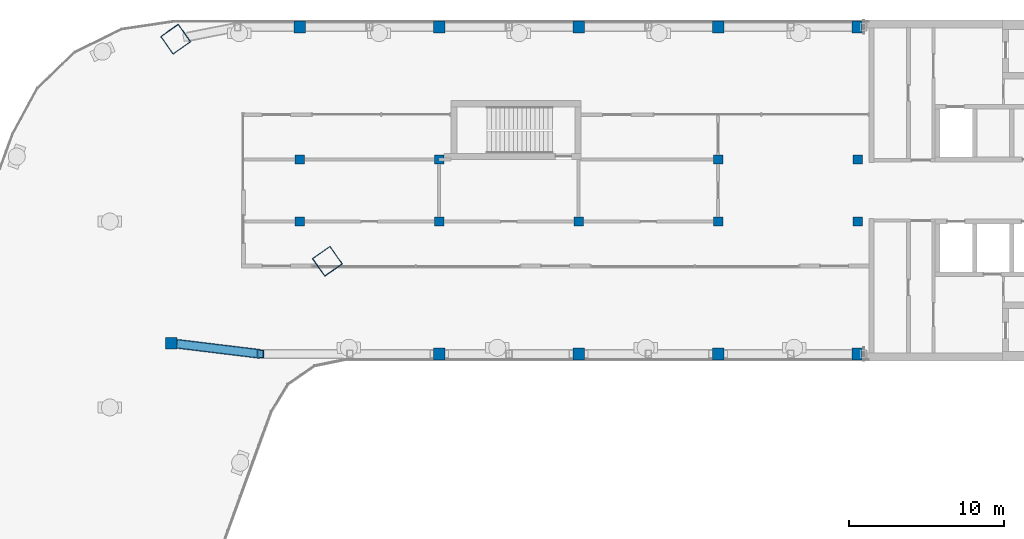
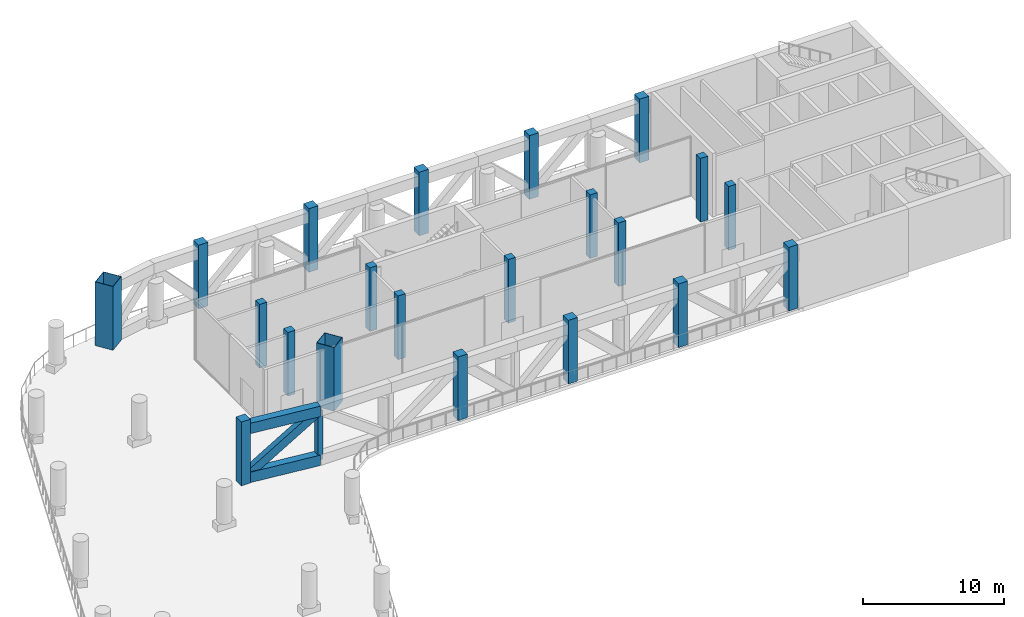
# One storey, part 1 of 14: 21 columns, 4 members.
"""IFC4 building model written with IfcOpenShell, lengths in metres."""

from ifc_helpers import new_model, si_unit, direction, frame, origin, origin_2d, place, context, subcontext, project, spatial, rectangle, hollow_rectangle, extrude, material, material_profile, profile_set, type_object, element, save


model = new_model("IFC4")

# Units and contexts
model_context = context("Model", 3, precision=1e-05, world=origin(), true_north=direction((0.0, 1.0)))
body_context = subcontext(model_context, "Body", "Model", "MODEL_VIEW")
ifc_project = project(units=[si_unit("LENGTHUNIT", "METRE"), si_unit("AREAUNIT", "SQUARE_METRE"), si_unit("VOLUMEUNIT", "CUBIC_METRE"), si_unit("PLANEANGLEUNIT", "RADIAN"), si_unit("MASSUNIT", "GRAM", prefix="KILO")], contexts=[model_context])

# Site, building, storey
site_placement = place(None, origin())
site = spatial("IfcSite", under=ifc_project, at=site_placement, CompositionType="ELEMENT")
building_placement = place(site_placement, origin())
building = spatial("IfcBuilding", under=site, at=building_placement, Name="Skarvind Civic Tower", CompositionType="ELEMENT")
storey_placement = place(building_placement, frame((0.0, 0.0, 236.0)))
storey = spatial("IfcBuildingStorey", under=building, at=storey_placement, Name="L56", CompositionType="ELEMENT", Elevation=236.0)

# Columns
ifc_material_1 = material(Name="Concrete C60", Category="concrete")
ifc_material_profile_1 = material_profile(ifc_material_1, rectangle(XDim=0.60009765625, YDim=0.60009765625, at=origin_2d()), Name="RC-600x600")
ifc_profile_set_1 = profile_set([ifc_material_profile_1], Name="Concrete C60")
column_type_1 = type_object("IfcColumnType", Name="Column RC-600x600 C60", PredefinedType="COLUMN", material=ifc_profile_set_1)
for number, where, z_axis, x_axis, name in (
    (1, (54.25, 130.0, 0.0), (0.0, 0.0, 1.0), (1.0, 0.0, 0.0), "Column wing 1 north inner 02 L56"),
    (2, (63.25, 130.0, 0.0), (0.0, 0.0, 1.0), (1.0, 0.0, 0.0), "Column wing 1 north inner 03 L56"),
    (3, (81.25, 130.0, 0.0), (0.0, 0.0, 1.0), (1.0, 0.0, 0.0), "Column wing 1 north inner 05 L56"),
    (4, (90.25, 130.0, 0.0), (0.0, 0.0, 1.0), (1.0, 0.0, 0.0), "Column wing 1 north inner 06 L56"),
    (5, (54.25, 126.0, 0.0), (0.0, 0.0, 1.0), (1.0, 0.0, 0.0), "Column wing 1 south inner 02 L56"),
    (6, (63.25, 126.0, 0.0), (0.0, 0.0, 1.0), (1.0, 0.0, 0.0), "Column wing 1 south inner 03 L56"),
    (7, (72.25, 126.0, 0.0), (0.0, 0.0, 1.0), (1.0, 0.0, 0.0), "Column wing 1 south inner 04 L56"),
    (8, (81.25, 126.0, 0.0), (0.0, 0.0, 1.0), (1.0, 0.0, 0.0), "Column wing 1 south inner 05 L56"),
    (9, (90.25, 126.0, 0.0), (0.0, 0.0, 1.0), (1.0, 0.0, 0.0), "Column wing 1 south inner 06 L56"),
):
    element("IfcColumn", number, at=place(storey_placement, frame(where, z_axis=z_axis, x_axis=x_axis)), inside=storey, type_object=column_type_1, Name=name, PredefinedType="COLUMN", context=body_context, shape_type="SweptSolid", body=[
        extrude(rectangle(XDim=0.60009765625, YDim=0.60009765625, at=origin_2d()), origin(), (0.0, 0.0, 1.0), 5.5),
    ])
ifc_material_profile_2 = material_profile(ifc_material_1, rectangle(XDim=0.75, YDim=0.75, at=origin_2d()), Name="RC-750x750")
ifc_profile_set_2 = profile_set([ifc_material_profile_2], Name="Concrete C60")
column_type_2 = type_object("IfcColumnType", Name="Column RC-750x750 C60", PredefinedType="COLUMN", material=ifc_profile_set_2)
for number, where, z_axis, x_axis, name in (
    (10, (54.25, 138.550048828125, 0.0), (0.0, 0.0, 1.0), (1.0, 0.0, 0.0), "Column wing 1 north perimeter 02 L56"),
    (11, (63.25, 138.550048828125, 0.0), (0.0, 0.0, 1.0), (1.0, 0.0, 0.0), "Column wing 1 north perimeter 03 L56"),
    (12, (72.25, 138.550048828125, 0.0), (0.0, 0.0, 1.0), (1.0, 0.0, 0.0), "Column wing 1 north perimeter 04 L56"),
    (13, (81.25, 138.550048828125, 0.0), (0.0, 0.0, 1.0), (1.0, 0.0, 0.0), "Column wing 1 north perimeter 05 L56"),
    (14, (90.25, 138.550048828125, 0.0), (0.0, 0.0, 1.0), (1.0, 0.0, 0.0), "Column wing 1 north perimeter 06 L56"),
    (15, (45.95166015625, 118.151611328125, 0.0), (0.0, 0.0, 1.0), (1.0, 0.0, 0.0), "Column wing 1 south perimeter 01 L56"),
    (16, (63.25, 117.449951171875, 0.0), (0.0, 0.0, 1.0), (1.0, 0.0, 0.0), "Column wing 1 south perimeter 03 L56"),
    (17, (72.25, 117.449951171875, 0.0), (0.0, 0.0, 1.0), (1.0, 0.0, 0.0), "Column wing 1 south perimeter 04 L56"),
    (18, (81.25, 117.449951171875, 0.0), (0.0, 0.0, 1.0), (1.0, 0.0, 0.0), "Column wing 1 south perimeter 05 L56"),
    (19, (90.25, 117.449951171875, 0.0), (0.0, 0.0, 1.0), (1.0, 0.0, 0.0), "Column wing 1 south perimeter 06 L56"),
):
    element("IfcColumn", number, at=place(storey_placement, frame(where, z_axis=z_axis, x_axis=x_axis)), inside=storey, type_object=column_type_2, Name=name, PredefinedType="COLUMN", context=body_context, shape_type="SweptSolid", body=[
        extrude(rectangle(XDim=0.75, YDim=0.75, at=origin_2d()), origin(), (0.0, 0.0, 1.0), 5.5),
    ])
ifc_material_2 = material(Name="Composite concrete-filled steel tube, Steel SM355 with Concrete C60", Category="concrete")
ifc_material_profile_3 = material_profile(ifc_material_2, hollow_rectangle(XDim=1.39990234375, YDim=1.39990234375, WallThickness=0.031982421875, at=origin_2d()), Name="BOX-1400x1400x32")
ifc_profile_set_3 = profile_set([ifc_material_profile_3], Name="Composite concrete-filled steel tube, Steel SM355 with Concrete C60")
column_type_3 = type_object("IfcColumnType", Name="Mega column BOX-1400x1400x32 filled C60", PredefinedType="COLUMN", material=ifc_profile_set_3)
for number, where, z_axis, x_axis, name in (
    (20, (46.2470703125, 137.762451171875, 0.0), (0.0, 0.0, 1.0), (0.573576436351, -0.819152044289, 0.0), "Mega column 2 L56"),
    (21, (56.0361328125, 123.43017578125, 0.0), (0.0, 0.0, 1.0), (0.573576436351, -0.819152044289, 0.0), "Mega column 4 L56"),
):
    element("IfcColumn", number, at=place(storey_placement, frame(where, z_axis=z_axis, x_axis=x_axis)), inside=storey, type_object=column_type_3, Name=name, PredefinedType="COLUMN", context=body_context, shape_type="SweptSolid", body=[
        extrude(hollow_rectangle(XDim=1.39990234375, YDim=1.39990234375, WallThickness=0.031982421875, at=origin_2d()), origin(), (0.0, 0.0, 1.0), 5.5),
    ])

# Members
ifc_material_3 = material(Name="Steel SM355", Category="steel")
ifc_material_profile_4 = material_profile(ifc_material_3, hollow_rectangle(XDim=0.60009765625, YDim=0.89990234375, WallThickness=0.031982421875, at=origin_2d()), Name="BOX-900x600x32")
ifc_profile_set_4 = profile_set([ifc_material_profile_4], Name="Steel SM355")
member_type_1 = type_object("IfcMemberType", Name="Truss chord BOX-900x600x32 SM355", PredefinedType="CHORD", material=ifc_profile_set_4)
for number, where, z_axis, x_axis, name in (
    (22, (46.32666015625, 118.10595703125, 0.449951171875), (0.992677858842, -0.120791839811, 0.0), (0.120791839811, 0.992677858842, 0.0), "Outrigger truss L56 W1S chord"),
    (23, (46.32666015625, 118.10595703125, 4.675048828125), (0.992677858842, -0.120791839811, 0.0), (0.120791839811, 0.992677858842, 0.0), "Outrigger truss L56 W1S chord"),
):
    element("IfcMember", number, at=place(storey_placement, frame(where, z_axis=z_axis, x_axis=x_axis)), inside=storey, type_object=member_type_1, Name=name, PredefinedType="CHORD", context=body_context, shape_type="SweptSolid", body=[
        extrude(hollow_rectangle(XDim=0.60009765625, YDim=0.89990234375, WallThickness=0.031982421875, at=origin_2d()), origin(), (0.0, 0.0, 1.0), 5.430908203125),
    ])
ifc_material_profile_5 = material_profile(ifc_material_3, hollow_rectangle(XDim=0.5, YDim=0.699951171875, WallThickness=0.02197265625, at=origin_2d()), Name="BOX-700x500x22")
ifc_profile_set_5 = profile_set([ifc_material_profile_5], Name="Steel SM355")
member_type_2 = type_object("IfcMemberType", Name="Truss diagonal BOX-700x500x22 SM355", PredefinedType="BRACE", material=ifc_profile_set_5)
member_1_placement = place(storey_placement, frame((46.32666015625, 118.10595703125, 0.724853515625), z_axis=(0.802781695451, -0.097684739411, 0.588217001739), x_axis=(0.120791839811, 0.992677858842, 0.0)))
element("IfcMember", 24, at=member_1_placement, inside=storey, type_object=member_type_2, Name="Outrigger truss L56 W1S diagonal", PredefinedType="BRACE", context=body_context, shape_type="SweptSolid", body=[
    extrude(hollow_rectangle(XDim=0.5, YDim=0.699951171875, WallThickness=0.02197265625, at=origin_2d()), origin(), (0.0, 0.0, 1.0), 6.715576171875),
])
ifc_material_profile_6 = material_profile(ifc_material_3, hollow_rectangle(XDim=0.39990234375, YDim=0.5, WallThickness=0.02001953125, at=origin_2d()), Name="BOX-500x400x20")
ifc_profile_set_6 = profile_set([ifc_material_profile_6], Name="Steel SM355")
member_type_3 = type_object("IfcMemberType", Name="Truss post BOX-500x400x20 SM355", PredefinedType="POST", material=ifc_profile_set_6)
member_2_placement = place(storey_placement, frame((51.7177734375, 117.449951171875, 0.449951171875), z_axis=(0.0, 0.0, 1.0), x_axis=(1.0, 0.0, 0.0)))
element("IfcMember", 25, at=member_2_placement, inside=storey, type_object=member_type_3, Name="Outrigger truss L56 W1S post", PredefinedType="POST", context=body_context, shape_type="SweptSolid", body=[
    extrude(hollow_rectangle(XDim=0.39990234375, YDim=0.5, WallThickness=0.02001953125, at=origin_2d()), origin(), (0.0, 0.0, 1.0), 4.22509765625),
])

save(model, "model.ifc")
